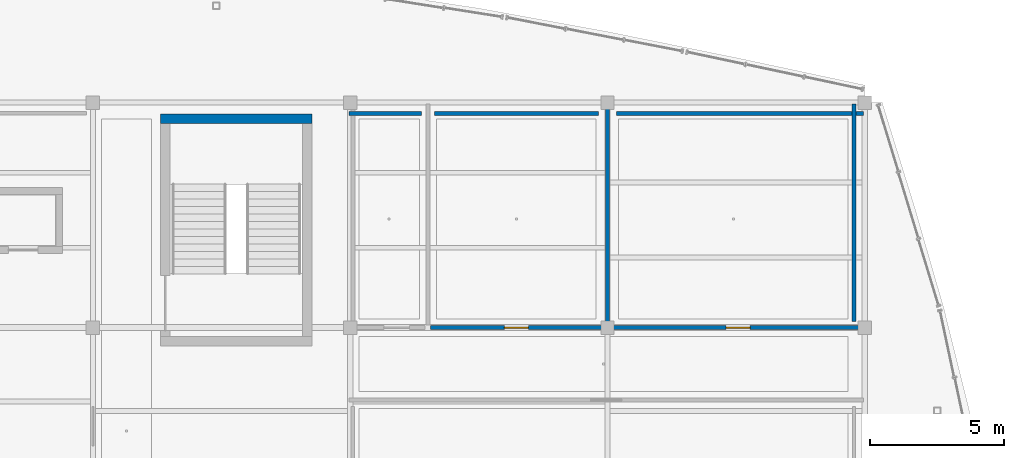
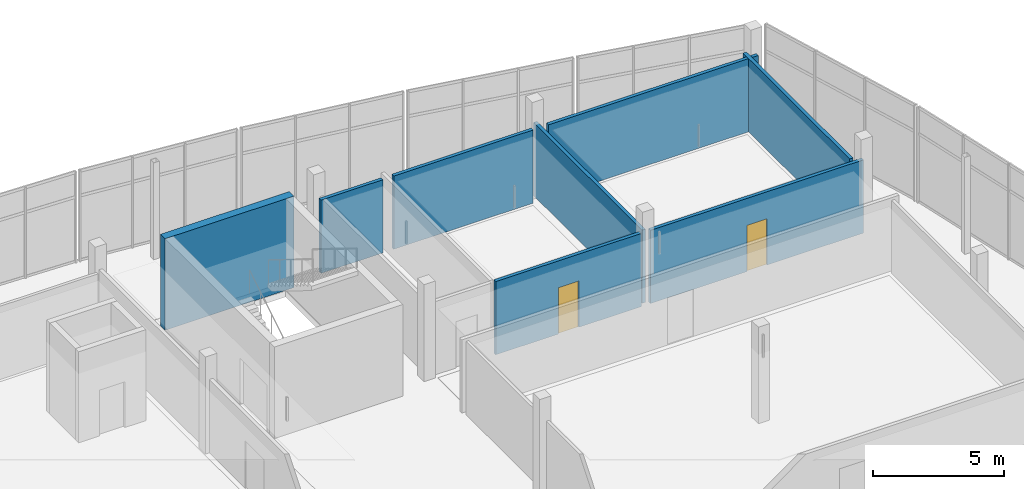
# One storey, part 98 of 114: 8 walls, 2 doors, 2 openings.
"""IFC4 building model written with IfcOpenShell, lengths in metres."""

from ifc_helpers import new_model, si_unit, direction, frame, frame_2d, origin, place, context, subcontext, project, spatial, rectangle, extrude, material, layer, layer_set, type_object, element, fill, save


model = new_model("IFC4")

# Units and contexts
model_context = context("Model", 3, precision=1e-05, world=origin(), true_north=direction((0.0, 1.0)))
body_context = subcontext(model_context, "Body", "Model", "MODEL_VIEW")
ifc_project = project(units=[si_unit("LENGTHUNIT", "METRE"), si_unit("AREAUNIT", "SQUARE_METRE"), si_unit("VOLUMEUNIT", "CUBIC_METRE"), si_unit("PLANEANGLEUNIT", "RADIAN"), si_unit("MASSUNIT", "GRAM", prefix="KILO")], contexts=[model_context])

# Site, building, storey
site_placement = place(None, origin())
site = spatial("IfcSite", under=ifc_project, at=site_placement, CompositionType="ELEMENT")
building_placement = place(site_placement, origin())
building = spatial("IfcBuilding", under=site, at=building_placement, Name="Chalmorin Arch Market", CompositionType="ELEMENT")
storey_placement = place(building_placement, frame((0.0, 0.0, 9.60009765625)))
storey = spatial("IfcBuildingStorey", under=building, at=storey_placement, Name="L02", CompositionType="ELEMENT", Elevation=9.60009765625)

# Wall
ifc_material_1 = material(Name="Concrete C40/50", Category="concrete")
ifc_layer_1 = layer(ifc_material_1, 0.35009765625)
ifc_layer_set_1 = layer_set([ifc_layer_1], Name="Concrete C40/50")
wall_type_1 = type_object("IfcWallType", Name="CoreShearWall-350", PredefinedType="SHEAR", material=ifc_layer_set_1)
wall_1_placement = place(storey_placement, frame((88.925048828125, 117.39990234375, 0.0), z_axis=(0.0, 0.0, 1.0), x_axis=(1.0, 0.0, 0.0)))
element("IfcWall", 1, at=wall_1_placement, inside=storey, type_object=wall_type_1, Name="CSW-350-098", PredefinedType="SHEAR", context=body_context, shape_type="SweptSolid", body=[
    extrude(rectangle(XDim=5.64990234375, YDim=0.35009765625, at=frame_2d((2.824951171875, 0.0))), origin(), (0.0, 0.0, 1.0), 4.25),
])

# Wall, opening, door
ifc_material_2 = material(Name="Concrete C30/37", Category="concrete")
ifc_layer_2 = layer(ifc_material_2, 0.14990234375)
ifc_layer_set_2 = layer_set([ifc_layer_2], Name="Concrete C30/37")
wall_type_2 = type_object("IfcWallType", Name="WetAreaTilePartition-150", PredefinedType="PARTITIONING", material=ifc_layer_set_2)
wall_2_placement = place(storey_placement, frame((99.0, 109.60009765625, 0.0), z_axis=(0.0, 0.0, 1.0), x_axis=(1.0, 0.0, 0.0)))
wall_2 = element("IfcWall", 2, at=wall_2_placement, inside=storey, type_object=wall_type_2, Name="WTP-150-561", PredefinedType="PARTITIONING", context=body_context, shape_type="SweptSolid", body=[
    extrude(rectangle(XDim=6.39990234375, YDim=0.14990234375, at=frame_2d((3.199951171875, 0.0))), origin(), (0.0, 0.0, 1.0), 3.39990234375),
])
opening_1_placement = place(wall_2_placement, frame((2.75, 0.0, 0.0)))
opening_1 = element("IfcOpeningElement", 3, at=opening_1_placement, cuts=wall_2, Name="Opening ID-192", PredefinedType="OPENING", context=body_context, shape_type="SweptSolid", body=[
    extrude(rectangle(XDim=0.89990234375, YDim=2.14990234375, at=frame_2d((0.449951171875, 1.074951171875))), frame((0.0, 0.0849609375, 0.0), z_axis=(0.0, -1.0, 0.0), x_axis=(1.0, 0.0, 0.0)), (0.0, 0.0, 1.0), 0.169921875),
])
ifc_material_3 = material(Name="Oak Engineered Timber", Category="wood")
door_type = type_object("IfcDoorType", Name="RestroomEntryDoor-900x2150", OperationType="NOTDEFINED", PredefinedType="DOOR", material=ifc_material_3)
door_1_placement = place(opening_1_placement, origin())
door_1 = element("IfcDoor", 4, at=door_1_placement, inside=storey, type_object=door_type, Name="ID-192", OperationType="SINGLE_SWING_RIGHT", OverallHeight=2.14990234375, OverallWidth=0.89990234375, PredefinedType="DOOR", context=body_context, shape_type="SweptSolid", body=[
    extrude(rectangle(XDim=0.89990234375, YDim=2.14990234375, at=frame_2d((0.449951171875, 1.074951171875))), frame((0.0, 0.02490234375, 0.0), z_axis=(0.0, -1.0, 0.0), x_axis=(1.0, 0.0, 0.0)), (0.0, 0.0, 1.0), 0.050048828125),
])
fill(opening_1, door_1)

wall_3_placement = place(storey_placement, frame((105.800048828125, 109.60009765625, 0.0), z_axis=(0.0, 0.0, 1.0), x_axis=(1.0, 0.0, 0.0)))
wall_3 = element("IfcWall", 5, at=wall_3_placement, inside=storey, type_object=wall_type_2, Name="WTP-150-562", PredefinedType="PARTITIONING", context=body_context, shape_type="SweptSolid", body=[
    extrude(rectangle(XDim=9.349853515625, YDim=0.14990234375, at=frame_2d((4.6748046875, 0.0))), origin(), (0.0, 0.0, 1.0), 3.39990234375),
])
opening_2_placement = place(wall_3_placement, frame((4.22509765625, 0.0, 0.0)))
opening_2 = element("IfcOpeningElement", 6, at=opening_2_placement, cuts=wall_3, Name="Opening ID-193", PredefinedType="OPENING", context=body_context, shape_type="SweptSolid", body=[
    extrude(rectangle(XDim=0.89990234375, YDim=2.14990234375, at=frame_2d((0.449951171875, 1.074951171875))), frame((0.0, 0.0849609375, 0.0), z_axis=(0.0, -1.0, 0.0), x_axis=(1.0, 0.0, 0.0)), (0.0, 0.0, 1.0), 0.169921875),
])
door_2_placement = place(opening_2_placement, origin())
door_2 = element("IfcDoor", 7, at=door_2_placement, inside=storey, type_object=door_type, Name="ID-193", OperationType="SINGLE_SWING_LEFT", OverallHeight=2.14990234375, OverallWidth=0.89990234375, PredefinedType="DOOR", context=body_context, shape_type="SweptSolid", body=[
    extrude(rectangle(XDim=0.89990234375, YDim=2.14990234375, at=frame_2d((0.449951171875, 1.074951171875))), frame((0.0, 0.02490234375, 0.0), z_axis=(0.0, -1.0, 0.0), x_axis=(1.0, 0.0, 0.0)), (0.0, 0.0, 1.0), 0.050048828125),
])
fill(opening_2, door_2)

# Walls
wall_4_placement = place(storey_placement, frame((105.60009765625, 109.699951171875, 0.0), z_axis=(0.0, 0.0, 1.0), x_axis=(0.0, 1.0, 0.0)))
element("IfcWall", 8, at=wall_4_placement, inside=storey, type_object=wall_type_2, Name="WTP-150-564", PredefinedType="PARTITIONING", context=body_context, shape_type="SweptSolid", body=[
    extrude(rectangle(XDim=8.25, YDim=0.14990234375, at=frame_2d((4.125, 0.0))), origin(), (0.0, 0.0, 1.0), 3.39990234375),
])
wall_5_placement = place(storey_placement, frame((95.949951171875, 117.60009765625, 0.0), z_axis=(0.0, 0.0, 1.0), x_axis=(1.0, 0.0, 0.0)))
element("IfcWall", 9, at=wall_5_placement, inside=storey, type_object=wall_type_2, Name="WTP-150-583", PredefinedType="PARTITIONING", context=body_context, shape_type="SweptSolid", body=[
    extrude(rectangle(XDim=2.7099609375, YDim=0.14990234375, at=frame_2d((1.35498046875, 0.0))), origin(), (0.0, 0.0, 1.0), 3.39990234375),
])
wall_6_placement = place(storey_placement, frame((99.139892578125, 117.60009765625, 0.0), z_axis=(0.0, 0.0, 1.0), x_axis=(1.0, 0.0, 0.0)))
element("IfcWall", 10, at=wall_6_placement, inside=storey, type_object=wall_type_2, Name="WTP-150-585", PredefinedType="PARTITIONING", context=body_context, shape_type="SweptSolid", body=[
    extrude(rectangle(XDim=6.1201171875, YDim=0.14990234375, at=frame_2d((3.06005859375, 0.0))), origin(), (0.0, 0.0, 1.0), 3.39990234375),
])
wall_7_placement = place(storey_placement, frame((105.93994140625, 117.60009765625, 0.0), z_axis=(0.0, 0.0, 1.0), x_axis=(1.0, 0.0, 0.0)))
element("IfcWall", 11, at=wall_7_placement, inside=storey, type_object=wall_type_2, Name="WTP-150-586", PredefinedType="PARTITIONING", context=body_context, shape_type="SweptSolid", body=[
    extrude(rectangle(XDim=9.2099609375, YDim=0.14990234375, at=frame_2d((4.60498046875, 0.0))), origin(), (0.0, 0.0, 1.0), 3.39990234375),
])
wall_8_placement = place(storey_placement, frame((114.800048828125, 109.840087890625, 0.0), z_axis=(0.0, 0.0, 1.0), x_axis=(0.0, 1.0, 0.0)))
element("IfcWall", 12, at=wall_8_placement, inside=storey, type_object=wall_type_2, Name="WTP-150-587", PredefinedType="PARTITIONING", context=body_context, shape_type="SweptSolid", body=[
    extrude(rectangle(XDim=8.10986328125, YDim=0.14990234375, at=frame_2d((4.054931640625, 0.0))), origin(), (0.0, 0.0, 1.0), 3.39990234375),
])

save(model, "model.ifc")
